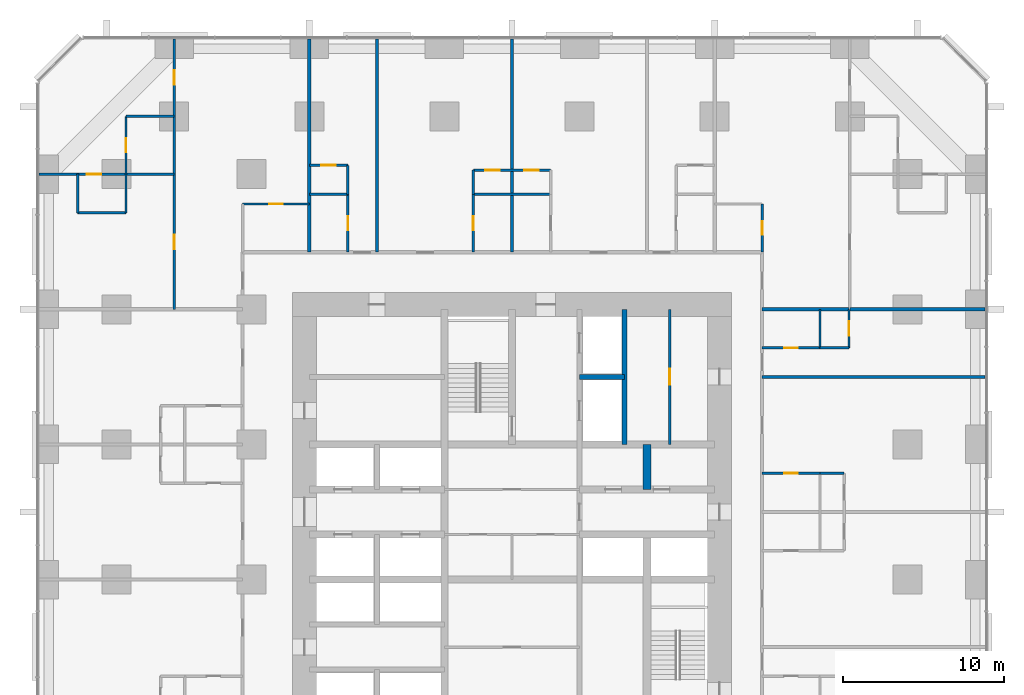
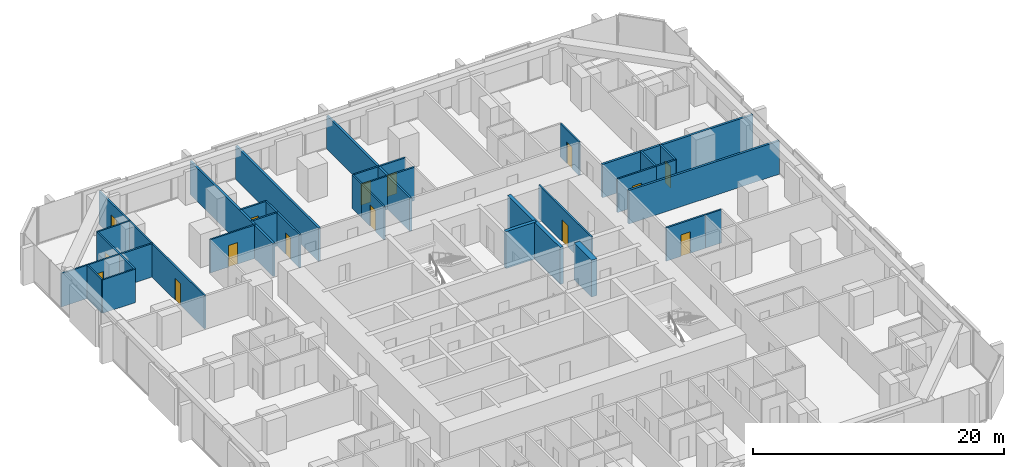
# One storey, part 15 of 17: 33 walls, 15 doors, 15 openings.
"""IFC4 building model written with IfcOpenShell, lengths in metres."""

from ifc_helpers import new_model, si_unit, direction, frame, frame_2d, origin, place, context, subcontext, project, spatial, rectangle, extrude, material, layer, layer_set, type_object, element, fill, save


model = new_model("IFC4")

# Units and contexts
model_context = context("Model", 3, precision=1e-05, world=origin(), true_north=direction((0.0, 1.0)))
body_context = subcontext(model_context, "Body", "Model", "MODEL_VIEW")
ifc_project = project(units=[si_unit("LENGTHUNIT", "METRE"), si_unit("AREAUNIT", "SQUARE_METRE"), si_unit("VOLUMEUNIT", "CUBIC_METRE"), si_unit("PLANEANGLEUNIT", "RADIAN"), si_unit("MASSUNIT", "GRAM", prefix="KILO")], contexts=[model_context])

# Site, building, storey
site_placement = place(None, origin())
site = spatial("IfcSite", under=ifc_project, at=site_placement, CompositionType="ELEMENT")
building_placement = place(site_placement, origin())
building = spatial("IfcBuilding", under=site, at=building_placement, Name="Dunama Terrace Hotel", CompositionType="ELEMENT")
storey_placement = place(building_placement, frame((0.0, 0.0, 77.39990234375)))
storey = spatial("IfcBuildingStorey", under=building, at=storey_placement, Name="L19", CompositionType="ELEMENT", Elevation=77.39990234375)

# Wall, opening, door
ifc_material_1 = material(Name="Gypsum board partition", Category="masonry")
ifc_layer_1 = layer(ifc_material_1, 0.14990234375)
ifc_layer_set_1 = layer_set([ifc_layer_1], Name="Bathroom partition 150")
wall_type_1 = type_object("IfcWallType", Name="Bathroom partition 150", PredefinedType="PARTITIONING", material=ifc_layer_set_1)
wall_1_placement = place(storey_placement, frame((5.39990234375, 50.39990234375, 0.0), z_axis=(0.0, 0.0, 1.0), x_axis=(0.0, 1.0, 0.0)))
wall_1 = element("IfcWall", 1, at=wall_1_placement, inside=storey, type_object=wall_type_1, Name="Bathroom partition 150 L19", PredefinedType="PARTITIONING", context=body_context, shape_type="SweptSolid", body=[
    extrude(rectangle(XDim=3.60009765625, YDim=0.14990234375, at=frame_2d((1.800048828125, 0.0))), origin(), (0.0, 0.0, 1.0), 3.25),
])
opening_1_placement = place(wall_1_placement, frame((1.375, 0.0, 0.0)))
opening_1 = element("IfcOpeningElement", 2, at=opening_1_placement, cuts=wall_1, Name="Opening L17-19-081", PredefinedType="OPENING", context=body_context, shape_type="SweptSolid", body=[
    extrude(rectangle(XDim=0.85009765625, YDim=2.10009765625, at=frame_2d((0.425048828125, 1.050048828125))), frame((0.0, 0.0849609375, 0.0), z_axis=(0.0, -1.0, 0.0), x_axis=(1.0, 0.0, 0.0)), (0.0, 0.0, 1.0), 0.169921875),
])
ifc_material_2 = material(Name="Timber door with steel frame", Category="steel")
door_type_1 = type_object("IfcDoorType", Name="Bathroom door 850", OperationType="SINGLE_SWING_LEFT", PredefinedType="DOOR", material=ifc_material_2)
door_1_placement = place(opening_1_placement, frame((0.85009765625, 0.0, 0.0), z_axis=(0.0, 0.0, 1.0), x_axis=(-1.0, 0.0, 0.0)))
door_1 = element("IfcDoor", 3, at=door_1_placement, inside=storey, type_object=door_type_1, Name="Door to en-suite bathroom L17-19-081, type D2", OperationType="SINGLE_SWING_RIGHT", OverallHeight=2.10009765625, OverallWidth=0.85009765625, PredefinedType="DOOR", context=body_context, shape_type="SweptSolid", body=[
    extrude(rectangle(XDim=0.85009765625, YDim=2.10009765625, at=frame_2d((0.425048828125, 1.050048828125))), frame((0.0, 0.025146484375, 0.0), z_axis=(0.0, -1.0, 0.0), x_axis=(1.0, 0.0, 0.0)), (0.0, 0.0, 1.0), 0.050048828125),
])
fill(opening_1, door_1)

wall_2_placement = place(storey_placement, frame((19.199951171875, 45.550048828125, 0.0), z_axis=(0.0, 0.0, 1.0), x_axis=(0.0, 1.0, 0.0)))
wall_2 = element("IfcWall", 4, at=wall_2_placement, inside=storey, type_object=wall_type_1, Name="Bathroom partition 150 L19", PredefinedType="PARTITIONING", context=body_context, shape_type="SweptSolid", body=[
    extrude(rectangle(XDim=3.599853515625, YDim=0.14990234375, at=frame_2d((1.7998046875, 0.0))), origin(), (0.0, 0.0, 1.0), 3.25),
])
opening_2_placement = place(wall_2_placement, frame((1.375, 0.0, 0.0)))
opening_2 = element("IfcOpeningElement", 5, at=opening_2_placement, cuts=wall_2, Name="Opening L17-19-040", PredefinedType="OPENING", context=body_context, shape_type="SweptSolid", body=[
    extrude(rectangle(XDim=0.85009765625, YDim=2.10009765625, at=frame_2d((0.425048828125, 1.050048828125))), frame((0.0, 0.0849609375, 0.0), z_axis=(0.0, -1.0, 0.0), x_axis=(1.0, 0.0, 0.0)), (0.0, 0.0, 1.0), 0.169921875),
])
door_2_placement = place(opening_2_placement, origin())
door_2 = element("IfcDoor", 6, at=door_2_placement, inside=storey, type_object=door_type_1, Name="Door to en-suite bathroom L17-19-040, type D2", OperationType="SINGLE_SWING_LEFT", OverallHeight=2.10009765625, OverallWidth=0.85009765625, PredefinedType="DOOR", context=body_context, shape_type="SweptSolid", body=[
    extrude(rectangle(XDim=0.85009765625, YDim=2.10009765625, at=frame_2d((0.425048828125, 1.050048828125))), frame((0.0, 0.02490234375, 0.0), z_axis=(0.0, -1.0, 0.0), x_axis=(1.0, 0.0, 0.0)), (0.0, 0.0, 1.0), 0.050048828125),
])
fill(opening_2, door_2)

wall_3_placement = place(storey_placement, frame((27.0, 45.550048828125, 0.0), z_axis=(0.0, 0.0, 1.0), x_axis=(0.0, 1.0, 0.0)))
wall_3 = element("IfcWall", 7, at=wall_3_placement, inside=storey, type_object=wall_type_1, Name="Bathroom partition 150 L19", PredefinedType="PARTITIONING", context=body_context, shape_type="SweptSolid", body=[
    extrude(rectangle(XDim=3.599853515625, YDim=0.14990234375, at=frame_2d((1.7998046875, 0.0))), origin(), (0.0, 0.0, 1.0), 3.25),
])
opening_3_placement = place(wall_3_placement, frame((1.375, 0.0, 0.0)))
opening_3 = element("IfcOpeningElement", 8, at=opening_3_placement, cuts=wall_3, Name="Opening L17-19-043", PredefinedType="OPENING", context=body_context, shape_type="SweptSolid", body=[
    extrude(rectangle(XDim=0.85009765625, YDim=2.10009765625, at=frame_2d((0.425048828125, 1.050048828125))), frame((0.0, 0.0849609375, 0.0), z_axis=(0.0, -1.0, 0.0), x_axis=(1.0, 0.0, 0.0)), (0.0, 0.0, 1.0), 0.169921875),
])
door_3_placement = place(opening_3_placement, frame((0.85009765625, 0.0, 0.0), z_axis=(0.0, 0.0, 1.0), x_axis=(-1.0, 0.0, 0.0)))
door_3 = element("IfcDoor", 9, at=door_3_placement, inside=storey, type_object=door_type_1, Name="Door to en-suite bathroom L17-19-043, type D2", OperationType="SINGLE_SWING_RIGHT", OverallHeight=2.10009765625, OverallWidth=0.85009765625, PredefinedType="DOOR", context=body_context, shape_type="SweptSolid", body=[
    extrude(rectangle(XDim=0.85009765625, YDim=2.10009765625, at=frame_2d((0.425048828125, 1.050048828125))), frame((0.0, 0.025146484375, 0.0), z_axis=(0.0, -1.0, 0.0), x_axis=(1.0, 0.0, 0.0)), (0.0, 0.0, 1.0), 0.050048828125),
])
fill(opening_3, door_3)

wall_4_placement = place(storey_placement, frame((44.949951171875, 45.550048828125, 0.0), z_axis=(0.0, 0.0, 1.0), x_axis=(0.0, 1.0, 0.0)))
wall_4 = element("IfcWall", 10, at=wall_4_placement, inside=storey, type_object=wall_type_1, Name="Bathroom partition 150 L19", PredefinedType="PARTITIONING", context=body_context, shape_type="SweptSolid", body=[
    extrude(rectangle(XDim=3.0, YDim=0.14990234375, at=frame_2d((1.5, 0.0))), origin(), (0.0, 0.0, 1.0), 3.25),
])
opening_4_placement = place(wall_4_placement, frame((1.074951171875, 0.0, 0.0)))
opening_4 = element("IfcOpeningElement", 11, at=opening_4_placement, cuts=wall_4, Name="Opening L17-19-073", PredefinedType="OPENING", context=body_context, shape_type="SweptSolid", body=[
    extrude(rectangle(XDim=0.85009765625, YDim=2.10009765625, at=frame_2d((0.425048828125, 1.050048828125))), frame((0.0, 0.0849609375, 0.0), z_axis=(0.0, -1.0, 0.0), x_axis=(1.0, 0.0, 0.0)), (0.0, 0.0, 1.0), 0.169921875),
])
door_4_placement = place(opening_4_placement, origin())
door_4 = element("IfcDoor", 12, at=door_4_placement, inside=storey, type_object=door_type_1, Name="Door to powder room L17-19-073, type D2", OperationType="SINGLE_SWING_LEFT", OverallHeight=2.10009765625, OverallWidth=0.85009765625, PredefinedType="DOOR", context=body_context, shape_type="SweptSolid", body=[
    extrude(rectangle(XDim=0.85009765625, YDim=2.10009765625, at=frame_2d((0.425048828125, 1.050048828125))), frame((0.0, 0.02490234375, 0.0), z_axis=(0.0, -1.0, 0.0), x_axis=(1.0, 0.0, 0.0)), (0.0, 0.0, 1.0), 0.050048828125),
])
fill(opening_4, door_4)

wall_5_placement = place(storey_placement, frame((44.949951171875, 31.800048828125, 0.0), z_axis=(0.0, 0.0, 1.0), x_axis=(1.0, 0.0, 0.0)))
wall_5 = element("IfcWall", 13, at=wall_5_placement, inside=storey, type_object=wall_type_1, Name="Bathroom partition 150 L19", PredefinedType="PARTITIONING", context=body_context, shape_type="SweptSolid", body=[
    extrude(rectangle(XDim=3.60009765625, YDim=0.14990234375, at=frame_2d((1.800048828125, 0.0))), origin(), (0.0, 0.0, 1.0), 3.25),
])
opening_5_placement = place(wall_5_placement, frame((1.375, 0.0, 0.0)))
opening_5 = element("IfcOpeningElement", 14, at=opening_5_placement, cuts=wall_5, Name="Opening L17-19-034", PredefinedType="OPENING", context=body_context, shape_type="SweptSolid", body=[
    extrude(rectangle(XDim=0.85009765625, YDim=2.10009765625, at=frame_2d((0.425048828125, 1.050048828125))), frame((0.0, 0.0849609375, 0.0), z_axis=(0.0, -1.0, 0.0), x_axis=(1.0, 0.0, 0.0)), (0.0, 0.0, 1.0), 0.169921875),
])
door_5_placement = place(opening_5_placement, frame((0.85009765625, 0.0, 0.0), z_axis=(0.0, 0.0, 1.0), x_axis=(-1.0, 0.0, 0.0)))
door_5 = element("IfcDoor", 15, at=door_5_placement, inside=storey, type_object=door_type_1, Name="Door to en-suite bathroom L17-19-034, type D2", OperationType="SINGLE_SWING_RIGHT", OverallHeight=2.10009765625, OverallWidth=0.85009765625, PredefinedType="DOOR", context=body_context, shape_type="SweptSolid", body=[
    extrude(rectangle(XDim=0.85009765625, YDim=2.10009765625, at=frame_2d((0.425048828125, 1.050048828125))), frame((0.0, 0.025146484375, 0.0), z_axis=(0.0, -1.0, 0.0), x_axis=(1.0, 0.0, 0.0)), (0.0, 0.0, 1.0), 0.050048828125),
])
fill(opening_5, door_5)

wall_6_placement = place(storey_placement, frame((44.949951171875, 39.60009765625, 0.0), z_axis=(0.0, 0.0, 1.0), x_axis=(1.0, 0.0, 0.0)))
wall_6 = element("IfcWall", 16, at=wall_6_placement, inside=storey, type_object=wall_type_1, Name="Bathroom partition 150 L19", PredefinedType="PARTITIONING", context=body_context, shape_type="SweptSolid", body=[
    extrude(rectangle(XDim=3.60009765625, YDim=0.14990234375, at=frame_2d((1.800048828125, 0.0))), origin(), (0.0, 0.0, 1.0), 3.25),
])
opening_6_placement = place(wall_6_placement, frame((1.375, 0.0, 0.0)))
opening_6 = element("IfcOpeningElement", 17, at=opening_6_placement, cuts=wall_6, Name="Opening L17-19-037", PredefinedType="OPENING", context=body_context, shape_type="SweptSolid", body=[
    extrude(rectangle(XDim=0.85009765625, YDim=2.10009765625, at=frame_2d((0.425048828125, 1.050048828125))), frame((0.0, 0.0849609375, 0.0), z_axis=(0.0, -1.0, 0.0), x_axis=(1.0, 0.0, 0.0)), (0.0, 0.0, 1.0), 0.169921875),
])
door_6_placement = place(opening_6_placement, origin())
door_6 = element("IfcDoor", 18, at=door_6_placement, inside=storey, type_object=door_type_1, Name="Door to en-suite bathroom L17-19-037, type D2", OperationType="SINGLE_SWING_LEFT", OverallHeight=2.10009765625, OverallWidth=0.85009765625, PredefinedType="DOOR", context=body_context, shape_type="SweptSolid", body=[
    extrude(rectangle(XDim=0.85009765625, YDim=2.10009765625, at=frame_2d((0.425048828125, 1.050048828125))), frame((0.0, 0.02490234375, 0.0), z_axis=(0.0, -1.0, 0.0), x_axis=(1.0, 0.0, 0.0)), (0.0, 0.0, 1.0), 0.050048828125),
])
fill(opening_6, door_6)

wall_7_placement = place(storey_placement, frame((12.64990234375, 48.550048828125, 0.0), z_axis=(0.0, 0.0, 1.0), x_axis=(1.0, 0.0, 0.0)))
wall_7 = element("IfcWall", 19, at=wall_7_placement, inside=storey, type_object=wall_type_1, Name="Bathroom partition 150 L19", PredefinedType="PARTITIONING", context=body_context, shape_type="SweptSolid", body=[
    extrude(rectangle(XDim=4.150146484375, YDim=0.14990234375, at=frame_2d((2.0751953125, 0.0))), origin(), (0.0, 0.0, 1.0), 3.25),
])
opening_7_placement = place(wall_7_placement, frame((1.64990234375, 0.0, 0.0)))
opening_7 = element("IfcOpeningElement", 20, at=opening_7_placement, cuts=wall_7, Name="Opening L17-19-079", PredefinedType="OPENING", context=body_context, shape_type="SweptSolid", body=[
    extrude(rectangle(XDim=0.85009765625, YDim=2.10009765625, at=frame_2d((0.425048828125, 1.050048828125))), frame((0.0, 0.0849609375, 0.0), z_axis=(0.0, -1.0, 0.0), x_axis=(1.0, 0.0, 0.0)), (0.0, 0.0, 1.0), 0.169921875),
])
door_7_placement = place(opening_7_placement, frame((0.85009765625, 0.0, 0.0), z_axis=(0.0, 0.0, 1.0), x_axis=(-1.0, 0.0, 0.0)))
door_7 = element("IfcDoor", 21, at=door_7_placement, inside=storey, type_object=door_type_1, Name="Door to powder room L17-19-079, type D2", OperationType="SINGLE_SWING_RIGHT", OverallHeight=2.10009765625, OverallWidth=0.85009765625, PredefinedType="DOOR", context=body_context, shape_type="SweptSolid", body=[
    extrude(rectangle(XDim=0.85009765625, YDim=2.10009765625, at=frame_2d((0.425048828125, 1.050048828125))), frame((0.0, 0.025146484375, 0.0), z_axis=(0.0, -1.0, 0.0), x_axis=(1.0, 0.0, 0.0)), (0.0, 0.0, 1.0), 0.050048828125),
])
fill(opening_7, door_7)

# Walls
wall_8_placement = place(storey_placement, frame((5.39990234375, 54.0, 0.0), z_axis=(0.0, 0.0, 1.0), x_axis=(1.0, 0.0, 0.0)))
element("IfcWall", 22, at=wall_8_placement, inside=storey, type_object=wall_type_1, Name="Bathroom partition 150 L19", PredefinedType="PARTITIONING", context=body_context, shape_type="SweptSolid", body=[
    extrude(rectangle(XDim=3.0, YDim=0.14990234375, at=frame_2d((1.5, 0.0))), origin(), (0.0, 0.0, 1.0), 3.25),
])
ifc_material_3 = material(Name="Concrete C50/60", Category="concrete")
ifc_layer_2 = layer(ifc_material_3, 0.300048828125)
ifc_layer_set_2 = layer_set([ifc_layer_2], Name="Core inner wall 300")
wall_type_2 = type_object("IfcWallType", Name="Core inner wall 300", PredefinedType="SHEAR", material=ifc_layer_set_2)
wall_9_placement = place(storey_placement, frame((36.39990234375, 33.60009765625, -0.349853515625), z_axis=(0.0, 0.0, 1.0), x_axis=(0.0, 1.0, 0.0)))
element("IfcWall", 23, at=wall_9_placement, inside=storey, type_object=wall_type_2, Name="Core inner wall 300 L19", PredefinedType="SHEAR", context=body_context, shape_type="SweptSolid", body=[
    extrude(rectangle(XDim=8.39990234375, YDim=0.300048828125, at=frame_2d((4.199951171875, 0.0))), origin(), (0.0, 0.0, 1.0), 3.599853515625),
])
wall_10_placement = place(storey_placement, frame((33.60009765625, 37.800048828125, -0.349853515625), z_axis=(0.0, 0.0, 1.0), x_axis=(1.0, 0.0, 0.0)))
element("IfcWall", 24, at=wall_10_placement, inside=storey, type_object=wall_type_2, Name="Core inner wall 300 L19", PredefinedType="SHEAR", context=body_context, shape_type="SweptSolid", body=[
    extrude(rectangle(XDim=2.7998046875, YDim=0.300048828125, at=frame_2d((1.39990234375, 0.0))), origin(), (0.0, 0.0, 1.0), 3.599853515625),
])
ifc_material_4 = material(Name="Concrete C50/60", Category="concrete")
ifc_layer_3 = layer(ifc_material_4, 0.5)
ifc_layer_set_3 = layer_set([ifc_layer_3], Name="Core inner wall 500")
wall_type_3 = type_object("IfcWallType", Name="Core inner wall 500", PredefinedType="SHEAR", material=ifc_layer_set_3)
wall_11_placement = place(storey_placement, frame((37.800048828125, 30.800048828125, -0.349853515625), z_axis=(0.0, 0.0, 1.0), x_axis=(0.0, 1.0, 0.0)))
element("IfcWall", 25, at=wall_11_placement, inside=storey, type_object=wall_type_3, Name="Core inner wall 500 L19", PredefinedType="SHEAR", context=body_context, shape_type="SweptSolid", body=[
    extrude(rectangle(XDim=2.800048828125, YDim=0.5, at=frame_2d((1.39990234375, 0.0))), origin(), (0.0, 0.0, 1.0), 3.599853515625),
])
ifc_material_5 = material(Name="Concrete blockwork", Category="masonry")
ifc_layer_4 = layer(ifc_material_5, 0.199951171875)
ifc_layer_set_4 = layer_set([ifc_layer_4], Name="Party wall 200")
wall_type_4 = type_object("IfcWallType", Name="Party wall 200", PredefinedType="PARTITIONING", material=ifc_layer_set_4)
for number, where, z_axis, x_axis, name in (
    (26, (16.800048828125, 45.550048828125, 0.0), (0.0, 0.0, 1.0), (0.0, 1.0, 0.0), "Party wall 200 L19"),
    (27, (21.0, 45.550048828125, 0.0), (0.0, 0.0, 1.0), (0.0, 1.0, 0.0), "Party wall 200 L19"),
    (28, (29.39990234375, 45.550048828125, 0.0), (0.0, 0.0, 1.0), (0.0, 1.0, 0.0), "Party wall 200 L19"),
):
    element("IfcWall", number, at=place(storey_placement, frame(where, z_axis=z_axis, x_axis=x_axis)), inside=storey, type_object=wall_type_4, Name=name, PredefinedType="PARTITIONING", context=body_context, shape_type="SweptSolid", body=[
        extrude(rectangle(XDim=13.258056640625, YDim=0.199951171875, at=frame_2d((6.62890625, 0.0))), origin(), (0.0, 0.0, 1.0), 3.25),
    ])
wall_12_placement = place(storey_placement, frame((44.949951171875, 37.800048828125, 0.0), z_axis=(0.0, 0.0, 1.0), x_axis=(1.0, 0.0, 0.0)))
element("IfcWall", 29, at=wall_12_placement, inside=storey, type_object=wall_type_4, Name="Party wall 200 L19", PredefinedType="PARTITIONING", context=body_context, shape_type="SweptSolid", body=[
    extrude(rectangle(XDim=13.858154296875, YDim=0.199951171875, at=frame_2d((6.92919921875, 0.0))), origin(), (0.0, 0.0, 1.0), 3.25),
])
wall_13_placement = place(storey_placement, frame((44.949951171875, 42.0, 0.0), z_axis=(0.0, 0.0, 1.0), x_axis=(1.0, 0.0, 0.0)))
element("IfcWall", 30, at=wall_13_placement, inside=storey, type_object=wall_type_4, Name="Party wall 200 L19", PredefinedType="PARTITIONING", context=body_context, shape_type="SweptSolid", body=[
    extrude(rectangle(XDim=5.400146484375, YDim=0.199951171875, at=frame_2d((2.7001953125, 0.0))), origin(), (0.0, 0.0, 1.0), 3.25),
])
wall_14_placement = place(storey_placement, frame((50.39990234375, 42.0, 0.0), z_axis=(0.0, 0.0, 1.0), x_axis=(1.0, 0.0, 0.0)))
element("IfcWall", 31, at=wall_14_placement, inside=storey, type_object=wall_type_4, Name="Party wall 200 L19", PredefinedType="PARTITIONING", context=body_context, shape_type="SweptSolid", body=[
    extrude(rectangle(XDim=8.408203125, YDim=0.199951171875, at=frame_2d((4.2041015625, 0.0))), origin(), (0.0, 0.0, 1.0), 3.25),
])
ifc_material_6 = material(Name="Gypsum board partition", Category="masonry")
ifc_layer_5 = layer(ifc_material_6, 0.14990234375)
ifc_layer_set_5 = layer_set([ifc_layer_5], Name="Room partition 150")
wall_type_5 = type_object("IfcWallType", Name="Room partition 150", PredefinedType="PARTITIONING", material=ifc_layer_set_5)
for number, where, z_axis, x_axis, name in (
    (32, (2.39990234375, 48.0, 0.0), (0.0, 0.0, 1.0), (0.0, 1.0, 0.0), "Room partition 150 L19"),
    (33, (5.39990234375, 48.0, 0.0), (0.0, 0.0, 1.0), (0.0, 1.0, 0.0), "Room partition 150 L19"),
):
    element("IfcWall", number, at=place(storey_placement, frame(where, z_axis=z_axis, x_axis=x_axis)), inside=storey, type_object=wall_type_5, Name=name, PredefinedType="PARTITIONING", context=body_context, shape_type="SweptSolid", body=[
        extrude(rectangle(XDim=2.39990234375, YDim=0.14990234375, at=frame_2d((1.199951171875, 0.0))), origin(), (0.0, 0.0, 1.0), 3.25),
    ])

# Wall, openings, doors
wall_15_placement = place(storey_placement, frame((8.39990234375, 42.0, 0.0), z_axis=(0.0, 0.0, 1.0), x_axis=(0.0, 1.0, 0.0)))
wall_15 = element("IfcWall", 34, at=wall_15_placement, inside=storey, type_object=wall_type_5, Name="Room partition 150 L19", PredefinedType="PARTITIONING", context=body_context, shape_type="SweptSolid", body=[
    extrude(rectangle(XDim=16.80810546875, YDim=0.14990234375, at=frame_2d((8.404052734375, 0.0))), origin(), (0.0, 0.0, 1.0), 3.25),
])
opening_8_placement = place(wall_15_placement, frame((13.949951171875, 0.0, 0.0)))
opening_8 = element("IfcOpeningElement", 35, at=opening_8_placement, cuts=wall_15, Name="Opening L17-19-080", PredefinedType="OPENING", context=body_context, shape_type="SweptSolid", body=[
    extrude(rectangle(XDim=0.89990234375, YDim=2.10009765625, at=frame_2d((0.449951171875, 1.050048828125))), frame((0.0, 0.0849609375, 0.0), z_axis=(0.0, -1.0, 0.0), x_axis=(1.0, 0.0, 0.0)), (0.0, 0.0, 1.0), 0.169921875),
])
opening_9_placement = place(wall_15_placement, frame((3.75, 0.0, 0.0)))
opening_9 = element("IfcOpeningElement", 36, at=opening_9_placement, cuts=wall_15, Name="Opening L17-19-083", PredefinedType="OPENING", context=body_context, shape_type="SweptSolid", body=[
    extrude(rectangle(XDim=0.89990234375, YDim=2.10009765625, at=frame_2d((0.449951171875, 1.050048828125))), frame((0.0, 0.0849609375, 0.0), z_axis=(0.0, -1.0, 0.0), x_axis=(1.0, 0.0, 0.0)), (0.0, 0.0, 1.0), 0.169921875),
])
ifc_material_7 = material(Name="Timber door with steel frame", Category="steel")
door_type_2 = type_object("IfcDoorType", Name="Suite internal door 900", OperationType="SINGLE_SWING_LEFT", PredefinedType="DOOR", material=ifc_material_7)
door_8_placement = place(opening_8_placement, origin())
door_8 = element("IfcDoor", 37, at=door_8_placement, inside=storey, type_object=door_type_2, Name="Door to corner suite bedroom L17-19-080, type D16", OperationType="SINGLE_SWING_RIGHT", OverallHeight=2.10009765625, OverallWidth=0.89990234375, PredefinedType="DOOR", context=body_context, shape_type="SweptSolid", body=[
    extrude(rectangle(XDim=0.89990234375, YDim=2.10009765625, at=frame_2d((0.449951171875, 1.050048828125))), frame((0.0, 0.02490234375, 0.0), z_axis=(0.0, -1.0, 0.0), x_axis=(1.0, 0.0, 0.0)), (0.0, 0.0, 1.0), 0.050048828125),
])
fill(opening_8, door_8)
door_9_placement = place(opening_9_placement, origin())
door_9 = element("IfcDoor", 38, at=door_9_placement, inside=storey, type_object=door_type_2, Name="Door to corner suite study L17-19-083, type D16", OperationType="SINGLE_SWING_RIGHT", OverallHeight=2.10009765625, OverallWidth=0.89990234375, PredefinedType="DOOR", context=body_context, shape_type="SweptSolid", body=[
    extrude(rectangle(XDim=0.89990234375, YDim=2.10009765625, at=frame_2d((0.449951171875, 1.050048828125))), frame((0.0, 0.02490234375, 0.0), z_axis=(0.0, -1.0, 0.0), x_axis=(1.0, 0.0, 0.0)), (0.0, 0.0, 1.0), 0.050048828125),
])
fill(opening_9, door_9)

# Walls
wall_16_placement = place(storey_placement, frame((19.199951171875, 49.14990234375, 0.0), z_axis=(0.0, 0.0, 1.0), x_axis=(0.0, 1.0, 0.0)))
element("IfcWall", 39, at=wall_16_placement, inside=storey, type_object=wall_type_5, Name="Room partition 150 L19", PredefinedType="PARTITIONING", context=body_context, shape_type="SweptSolid", body=[
    extrude(rectangle(XDim=1.800048828125, YDim=0.14990234375, at=frame_2d((0.89990234375, 0.0))), origin(), (0.0, 0.0, 1.0), 3.25),
])
wall_17_placement = place(storey_placement, frame((27.0, 49.14990234375, 0.0), z_axis=(0.0, 0.0, 1.0), x_axis=(0.0, 1.0, 0.0)))
element("IfcWall", 40, at=wall_17_placement, inside=storey, type_object=wall_type_5, Name="Room partition 150 L19", PredefinedType="PARTITIONING", context=body_context, shape_type="SweptSolid", body=[
    extrude(rectangle(XDim=1.5, YDim=0.14990234375, at=frame_2d((0.75, 0.0))), origin(), (0.0, 0.0, 1.0), 3.25),
])

# Wall, opening, door
wall_18_placement = place(storey_placement, frame((39.199951171875, 33.60009765625, 0.0), z_axis=(0.0, 0.0, 1.0), x_axis=(0.0, 1.0, 0.0)))
wall_18 = element("IfcWall", 41, at=wall_18_placement, inside=storey, type_object=wall_type_5, Name="Room partition 150 L19", PredefinedType="PARTITIONING", context=body_context, shape_type="SweptSolid", body=[
    extrude(rectangle(XDim=8.39990234375, YDim=0.14990234375, at=frame_2d((4.199951171875, 0.0))), origin(), (0.0, 0.0, 1.0), 3.25),
])
opening_10_placement = place(wall_18_placement, frame((3.699951171875, 0.0, 0.0)))
opening_10 = element("IfcOpeningElement", 42, at=opening_10_placement, cuts=wall_18, Name="Opening L17-19-097", PredefinedType="OPENING", context=body_context, shape_type="SweptSolid", body=[
    extrude(rectangle(XDim=1.0, YDim=2.10009765625, at=frame_2d((0.5, 1.050048828125))), frame((0.0, 0.0849609375, 0.0), z_axis=(0.0, -1.0, 0.0), x_axis=(1.0, 0.0, 0.0)), (0.0, 0.0, 1.0), 0.169921875),
])
ifc_material_8 = material(Name="Timber door with steel frame", Category="steel")
door_type_3 = type_object("IfcDoorType", Name="Service door 1000", OperationType="SINGLE_SWING_LEFT", PredefinedType="DOOR", material=ifc_material_8)
door_10_placement = place(opening_10_placement, frame((1.0, 0.0, 0.0), z_axis=(0.0, 0.0, 1.0), x_axis=(-1.0, 0.0, 0.0)))
door_10 = element("IfcDoor", 43, at=door_10_placement, inside=storey, type_object=door_type_3, Name="Door to guest amenities store L17-19-097, type D7", OperationType="SINGLE_SWING_RIGHT", OverallHeight=2.10009765625, OverallWidth=1.0, PredefinedType="DOOR", context=body_context, shape_type="SweptSolid", body=[
    extrude(rectangle(XDim=1.0, YDim=2.10009765625, at=frame_2d((0.5, 1.050048828125))), frame((0.0, 0.025146484375, 0.0), z_axis=(0.0, -1.0, 0.0), x_axis=(1.0, 0.0, 0.0)), (0.0, 0.0, 1.0), 0.050048828125),
])
fill(opening_10, door_10)

# Wall
wall_19_placement = place(storey_placement, frame((48.550048828125, 39.60009765625, 0.0), z_axis=(0.0, 0.0, 1.0), x_axis=(0.0, 1.0, 0.0)))
element("IfcWall", 44, at=wall_19_placement, inside=storey, type_object=wall_type_5, Name="Room partition 150 L19", PredefinedType="PARTITIONING", context=body_context, shape_type="SweptSolid", body=[
    extrude(rectangle(XDim=2.39990234375, YDim=0.14990234375, at=frame_2d((1.199951171875, 0.0))), origin(), (0.0, 0.0, 1.0), 3.25),
])

# Wall, opening, door
wall_20_placement = place(storey_placement, frame((50.35009765625, 39.60009765625, 0.0), z_axis=(0.0, 0.0, 1.0), x_axis=(0.0, 1.0, 0.0)))
wall_20 = element("IfcWall", 45, at=wall_20_placement, inside=storey, type_object=wall_type_5, Name="Room partition 150 L19", PredefinedType="PARTITIONING", context=body_context, shape_type="SweptSolid", body=[
    extrude(rectangle(XDim=2.39990234375, YDim=0.14990234375, at=frame_2d((1.199951171875, 0.0))), origin(), (0.0, 0.0, 1.0), 3.25),
])
opening_11_placement = place(wall_20_placement, frame((0.75, 0.0, 0.0)))
opening_11 = element("IfcOpeningElement", 46, at=opening_11_placement, cuts=wall_20, Name="Opening L17-19-038", PredefinedType="OPENING", context=body_context, shape_type="SweptSolid", body=[
    extrude(rectangle(XDim=0.89990234375, YDim=2.10009765625, at=frame_2d((0.449951171875, 1.050048828125))), frame((0.0, 0.0849609375, 0.0), z_axis=(0.0, -1.0, 0.0), x_axis=(1.0, 0.0, 0.0)), (0.0, 0.0, 1.0), 0.169921875),
])
door_11_placement = place(opening_11_placement, origin())
door_11 = element("IfcDoor", 47, at=door_11_placement, inside=storey, type_object=door_type_2, Name="Door to walk-in wardrobe L17-19-038, type D16", OperationType="SINGLE_SWING_RIGHT", OverallHeight=2.10009765625, OverallWidth=0.89990234375, PredefinedType="DOOR", context=body_context, shape_type="SweptSolid", body=[
    extrude(rectangle(XDim=0.89990234375, YDim=2.10009765625, at=frame_2d((0.449951171875, 1.050048828125))), frame((0.0, 0.02490234375, 0.0), z_axis=(0.0, -1.0, 0.0), x_axis=(1.0, 0.0, 0.0)), (0.0, 0.0, 1.0), 0.050048828125),
])
fill(opening_11, door_11)

# Walls
wall_21_placement = place(storey_placement, frame((48.550048828125, 31.800048828125, 0.0), z_axis=(0.0, 0.0, 1.0), x_axis=(1.0, 0.0, 0.0)))
element("IfcWall", 48, at=wall_21_placement, inside=storey, type_object=wall_type_5, Name="Room partition 150 L19", PredefinedType="PARTITIONING", context=body_context, shape_type="SweptSolid", body=[
    extrude(rectangle(XDim=1.5, YDim=0.14990234375, at=frame_2d((0.75, 0.0))), origin(), (0.0, 0.0, 1.0), 3.25),
])
wall_22_placement = place(storey_placement, frame((48.550048828125, 39.60009765625, 0.0), z_axis=(0.0, 0.0, 1.0), x_axis=(1.0, 0.0, 0.0)))
element("IfcWall", 49, at=wall_22_placement, inside=storey, type_object=wall_type_5, Name="Room partition 150 L19", PredefinedType="PARTITIONING", context=body_context, shape_type="SweptSolid", body=[
    extrude(rectangle(XDim=1.800048828125, YDim=0.14990234375, at=frame_2d((0.89990234375, 0.0))), origin(), (0.0, 0.0, 1.0), 3.25),
])
wall_23_placement = place(storey_placement, frame((2.39990234375, 48.0, 0.0), z_axis=(0.0, 0.0, 1.0), x_axis=(1.0, 0.0, 0.0)))
element("IfcWall", 50, at=wall_23_placement, inside=storey, type_object=wall_type_5, Name="Room partition 150 L19", PredefinedType="PARTITIONING", context=body_context, shape_type="SweptSolid", body=[
    extrude(rectangle(XDim=3.0, YDim=0.14990234375, at=frame_2d((1.5, 0.0))), origin(), (0.0, 0.0, 1.0), 3.25),
])
wall_24_placement = place(storey_placement, frame((16.800048828125, 49.14990234375, 0.0), z_axis=(0.0, 0.0, 1.0), x_axis=(1.0, 0.0, 0.0)))
element("IfcWall", 51, at=wall_24_placement, inside=storey, type_object=wall_type_5, Name="Room partition 150 L19", PredefinedType="PARTITIONING", context=body_context, shape_type="SweptSolid", body=[
    extrude(rectangle(XDim=2.39990234375, YDim=0.14990234375, at=frame_2d((1.199951171875, 0.0))), origin(), (0.0, 0.0, 1.0), 3.25),
])
wall_25_placement = place(storey_placement, frame((27.0, 49.14990234375, 0.0), z_axis=(0.0, 0.0, 1.0), x_axis=(1.0, 0.0, 0.0)))
element("IfcWall", 52, at=wall_25_placement, inside=storey, type_object=wall_type_5, Name="Room partition 150 L19", PredefinedType="PARTITIONING", context=body_context, shape_type="SweptSolid", body=[
    extrude(rectangle(XDim=4.800048828125, YDim=0.14990234375, at=frame_2d((2.39990234375, 0.0))), origin(), (0.0, 0.0, 1.0), 3.25),
])

# Wall, opening, door
wall_26_placement = place(storey_placement, frame((-0.008056640625, 50.39990234375, 0.0), z_axis=(0.0, 0.0, 1.0), x_axis=(1.0, 0.0, 0.0)))
wall_26 = element("IfcWall", 53, at=wall_26_placement, inside=storey, type_object=wall_type_5, Name="Room partition 150 L19", PredefinedType="PARTITIONING", context=body_context, shape_type="SweptSolid", body=[
    extrude(rectangle(XDim=8.407958984375, YDim=0.14990234375, at=frame_2d((4.2041015625, 0.0))), origin(), (0.0, 0.0, 1.0), 3.25),
])
opening_12_placement = place(wall_26_placement, frame((2.9580078125, 0.0, 0.0)))
opening_12 = element("IfcOpeningElement", 54, at=opening_12_placement, cuts=wall_26, Name="Opening L17-19-082", PredefinedType="OPENING", context=body_context, shape_type="SweptSolid", body=[
    extrude(rectangle(XDim=0.89990234375, YDim=2.10009765625, at=frame_2d((0.449951171875, 1.050048828125))), frame((0.0, 0.0849609375, 0.0), z_axis=(0.0, -1.0, 0.0), x_axis=(1.0, 0.0, 0.0)), (0.0, 0.0, 1.0), 0.169921875),
])
door_12_placement = place(opening_12_placement, frame((0.89990234375, 0.0, 0.0), z_axis=(0.0, 0.0, 1.0), x_axis=(-1.0, 0.0, 0.0)))
door_12 = element("IfcDoor", 55, at=door_12_placement, inside=storey, type_object=door_type_2, Name="Door to dressing room L17-19-082, type D16", OperationType="SINGLE_SWING_LEFT", OverallHeight=2.10009765625, OverallWidth=0.89990234375, PredefinedType="DOOR", context=body_context, shape_type="SweptSolid", body=[
    extrude(rectangle(XDim=0.89990234375, YDim=2.10009765625, at=frame_2d((0.449951171875, 1.050048828125))), frame((0.0, 0.025146484375, 0.0), z_axis=(0.0, -1.0, 0.0), x_axis=(1.0, 0.0, 0.0)), (0.0, 0.0, 1.0), 0.050048828125),
])
fill(opening_12, door_12)

# Wall, openings, doors
wall_27_placement = place(storey_placement, frame((27.0, 50.64990234375, 0.0), z_axis=(0.0, 0.0, 1.0), x_axis=(1.0, 0.0, 0.0)))
wall_27 = element("IfcWall", 56, at=wall_27_placement, inside=storey, type_object=wall_type_5, Name="Room partition 150 L19", PredefinedType="PARTITIONING", context=body_context, shape_type="SweptSolid", body=[
    extrude(rectangle(XDim=4.800048828125, YDim=0.14990234375, at=frame_2d((2.39990234375, 0.0))), origin(), (0.0, 0.0, 1.0), 3.25),
])
opening_13_placement = place(wall_27_placement, frame((0.75, 0.0, 0.0)))
opening_13 = element("IfcOpeningElement", 57, at=opening_13_placement, cuts=wall_27, Name="Opening L17-19-044", PredefinedType="OPENING", context=body_context, shape_type="SweptSolid", body=[
    extrude(rectangle(XDim=0.89990234375, YDim=2.10009765625, at=frame_2d((0.449951171875, 1.050048828125))), frame((0.0, 0.0849609375, 0.0), z_axis=(0.0, -1.0, 0.0), x_axis=(1.0, 0.0, 0.0)), (0.0, 0.0, 1.0), 0.169921875),
])
opening_14_placement = place(wall_27_placement, frame((3.14990234375, 0.0, 0.0)))
opening_14 = element("IfcOpeningElement", 58, at=opening_14_placement, cuts=wall_27, Name="Opening L17-19-047", PredefinedType="OPENING", context=body_context, shape_type="SweptSolid", body=[
    extrude(rectangle(XDim=0.89990234375, YDim=2.10009765625, at=frame_2d((0.449951171875, 1.050048828125))), frame((0.0, 0.0849609375, 0.0), z_axis=(0.0, -1.0, 0.0), x_axis=(1.0, 0.0, 0.0)), (0.0, 0.0, 1.0), 0.169921875),
])
door_13_placement = place(opening_13_placement, frame((0.89990234375, 0.0, 0.0), z_axis=(0.0, 0.0, 1.0), x_axis=(-1.0, 0.0, 0.0)))
door_13 = element("IfcDoor", 59, at=door_13_placement, inside=storey, type_object=door_type_2, Name="Door to walk-in wardrobe L17-19-044, type D16", OperationType="SINGLE_SWING_RIGHT", OverallHeight=2.10009765625, OverallWidth=0.89990234375, PredefinedType="DOOR", context=body_context, shape_type="SweptSolid", body=[
    extrude(rectangle(XDim=0.89990234375, YDim=2.10009765625, at=frame_2d((0.449951171875, 1.050048828125))), frame((0.0, 0.025146484375, 0.0), z_axis=(0.0, -1.0, 0.0), x_axis=(1.0, 0.0, 0.0)), (0.0, 0.0, 1.0), 0.050048828125),
])
fill(opening_13, door_13)
door_14_placement = place(opening_14_placement, frame((0.89990234375, 0.0, 0.0), z_axis=(0.0, 0.0, 1.0), x_axis=(-1.0, 0.0, 0.0)))
door_14 = element("IfcDoor", 60, at=door_14_placement, inside=storey, type_object=door_type_2, Name="Door to walk-in wardrobe L17-19-047, type D16", OperationType="SINGLE_SWING_RIGHT", OverallHeight=2.10009765625, OverallWidth=0.89990234375, PredefinedType="DOOR", context=body_context, shape_type="SweptSolid", body=[
    extrude(rectangle(XDim=0.89990234375, YDim=2.10009765625, at=frame_2d((0.449951171875, 1.050048828125))), frame((0.0, 0.025146484375, 0.0), z_axis=(0.0, -1.0, 0.0), x_axis=(1.0, 0.0, 0.0)), (0.0, 0.0, 1.0), 0.050048828125),
])
fill(opening_14, door_14)

# Wall, opening, door
wall_28_placement = place(storey_placement, frame((16.800048828125, 50.949951171875, 0.0), z_axis=(0.0, 0.0, 1.0), x_axis=(1.0, 0.0, 0.0)))
wall_28 = element("IfcWall", 61, at=wall_28_placement, inside=storey, type_object=wall_type_5, Name="Room partition 150 L19", PredefinedType="PARTITIONING", context=body_context, shape_type="SweptSolid", body=[
    extrude(rectangle(XDim=2.39990234375, YDim=0.14990234375, at=frame_2d((1.199951171875, 0.0))), origin(), (0.0, 0.0, 1.0), 3.25),
])
opening_15_placement = place(wall_28_placement, frame((0.75, 0.0, 0.0)))
opening_15 = element("IfcOpeningElement", 62, at=opening_15_placement, cuts=wall_28, Name="Opening L17-19-041", PredefinedType="OPENING", context=body_context, shape_type="SweptSolid", body=[
    extrude(rectangle(XDim=0.89990234375, YDim=2.10009765625, at=frame_2d((0.449951171875, 1.050048828125))), frame((0.0, 0.0849609375, 0.0), z_axis=(0.0, -1.0, 0.0), x_axis=(1.0, 0.0, 0.0)), (0.0, 0.0, 1.0), 0.169921875),
])
door_15_placement = place(opening_15_placement, frame((0.89990234375, 0.0, 0.0), z_axis=(0.0, 0.0, 1.0), x_axis=(-1.0, 0.0, 0.0)))
door_15 = element("IfcDoor", 63, at=door_15_placement, inside=storey, type_object=door_type_2, Name="Door to walk-in wardrobe L17-19-041, type D16", OperationType="SINGLE_SWING_RIGHT", OverallHeight=2.10009765625, OverallWidth=0.89990234375, PredefinedType="DOOR", context=body_context, shape_type="SweptSolid", body=[
    extrude(rectangle(XDim=0.89990234375, YDim=2.10009765625, at=frame_2d((0.449951171875, 1.050048828125))), frame((0.0, 0.025146484375, 0.0), z_axis=(0.0, -1.0, 0.0), x_axis=(1.0, 0.0, 0.0)), (0.0, 0.0, 1.0), 0.050048828125),
])
fill(opening_15, door_15)

save(model, "model.ifc")
